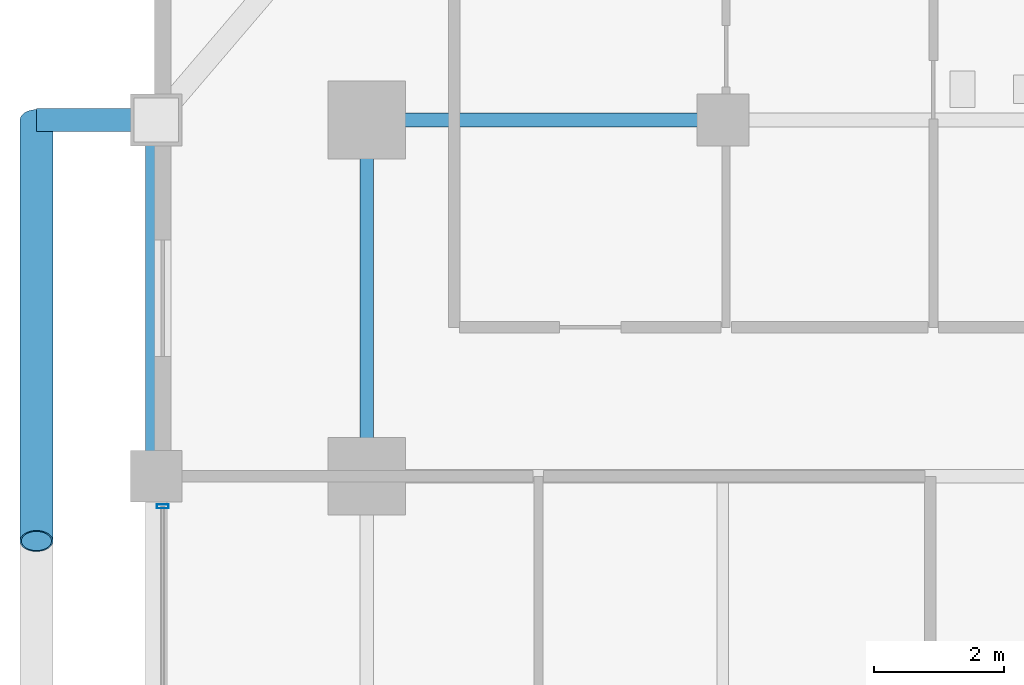
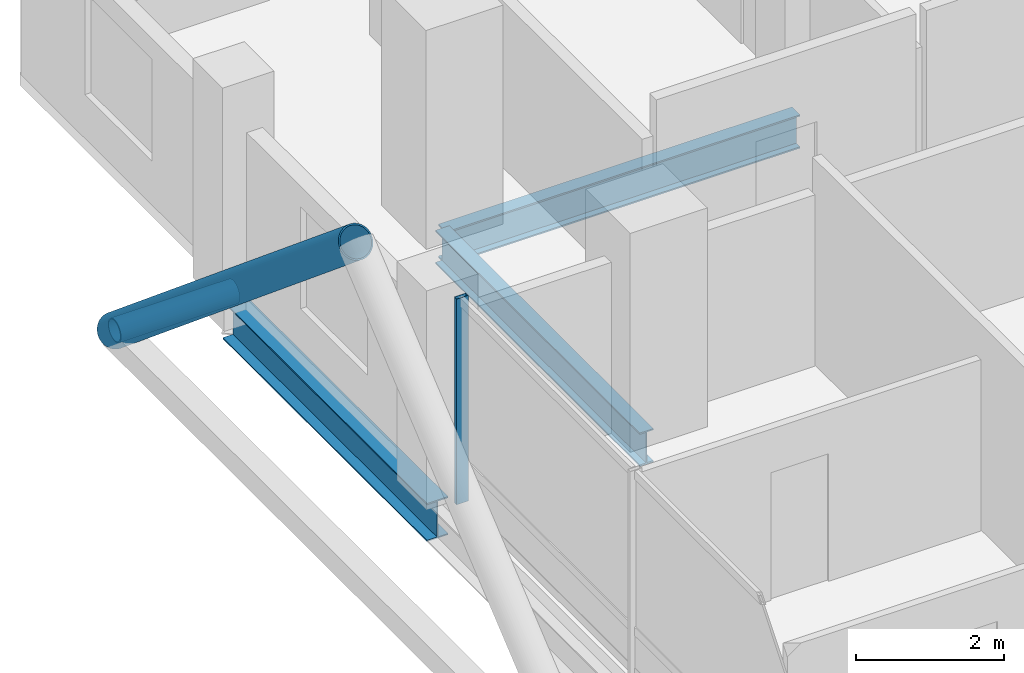
# One storey, part 12 of 25: 3 beams, 3 members, 1 element without a shape of its own.
"""IFC4 building model written with IfcOpenShell, lengths in metres."""

import ifcopenshell
import ifcopenshell.guid

model = None  # the IFC model being written
_history = None  # IfcOwnerHistory: only IFC2X3 demands one
_inside = {}  # id of a spatial element -> (the spatial element, [elements in it])
_under = {}  # id of a project, library or spatial element -> (it, [spatial elements below it])
_declared = {}  # id of a project -> (the project, [libraries it declares])
_typed = {}  # id of a type object -> (the type object, [elements of that type])
_made_of = {}  # id of a material, layer set ... -> (it, [elements and type objects made of it])


def new_model(schema):
    """Start an empty IFC model of exactly this schema.

    Asked for "IFC4X3", IfcOpenShell would pick the latest addendum, in which some entities
    have other attributes; the version numbers below select the first issue.
    IFC2X3 requires an IfcOwnerHistory on every rooted entity: one is made here for all.
    """
    global model, _history
    if schema == "IFC4X3":
        model = ifcopenshell.file(schema_version=(4, 3, 0, 0))
    else:
        model = ifcopenshell.file(schema=schema)
    _inside.clear()
    _under.clear()
    _declared.clear()
    _typed.clear()
    _made_of.clear()
    _history = None
    if model.schema == "IFC2X3":
        org = make("IfcOrganization", Name="unknown")
        user = make(
            "IfcPersonAndOrganization",
            ThePerson=make("IfcPerson", FamilyName="unknown"),
            TheOrganization=org,
        )
        app = make(
            "IfcApplication",
            ApplicationDeveloper=org,
            Version="unknown",
            ApplicationFullName="unknown",
            ApplicationIdentifier="unknown",
        )
        _history = make(
            "IfcOwnerHistory",
            OwningUser=user,
            OwningApplication=app,
            ChangeAction="ADDED",
            CreationDate=0,
        )
    return model


def make(cls, **values):
    """One entity of the class cls with the attributes given. An attribute that is None is left unset."""
    return model.create_entity(
        cls, **{name: value for name, value in values.items() if value is not None}
    )


def rooted(cls, **values):
    """An entity with a GlobalId (a new one), such as an element, a storey or a relation."""
    return make(cls, GlobalId=ifcopenshell.guid.new(), OwnerHistory=_history, **values)


def si_unit(unit_type, name, prefix=None):
    """IfcSIUnit, for example si_unit("LENGTHUNIT", "METRE", prefix="MILLI")."""
    return make("IfcSIUnit", UnitType=unit_type, Prefix=prefix, Name=name)


def assignment(units):
    """IfcUnitAssignment: the units of a project."""
    return None if units is None else make("IfcUnitAssignment", Units=units)


def point(xyz):
    """IfcCartesianPoint."""
    return None if xyz is None else make("IfcCartesianPoint", Coordinates=xyz)


def direction(xyz):
    """IfcDirection."""
    return None if xyz is None else make("IfcDirection", DirectionRatios=xyz)


def frame(location, z_axis=None, x_axis=None):
    """IfcAxis2Placement3D, a coordinate frame: its origin and axes. An axis left out is left unset."""
    return make(
        "IfcAxis2Placement3D",
        Location=point(location),
        Axis=direction(z_axis),
        RefDirection=direction(x_axis),
    )


def frame_2d(location, x_axis=None):
    """IfcAxis2Placement2D, a coordinate frame in the plane: its origin and x axis."""
    return make(
        "IfcAxis2Placement2D", Location=point(location), RefDirection=direction(x_axis)
    )


def origin():
    """The frame at (0, 0, 0) with its axes left unset."""
    return frame((0.0, 0.0, 0.0))


def origin_2d():
    """The frame at (0, 0) in the plane with its x axis left unset."""
    return frame_2d((0.0, 0.0))


def place(relative_to, where):
    """IfcLocalPlacement: puts the frame where relative to a parent placement (None: the world)."""
    return make(
        "IfcLocalPlacement", PlacementRelTo=relative_to, RelativePlacement=where
    )


def context(
    kind, dimensions, precision=None, world=None, true_north=None, identifier=None
):
    """IfcGeometricRepresentationContext, for example the 3D "Model" context."""
    return make(
        "IfcGeometricRepresentationContext",
        ContextIdentifier=identifier,
        ContextType=kind,
        CoordinateSpaceDimension=dimensions,
        Precision=precision,
        WorldCoordinateSystem=world,
        TrueNorth=true_north,
    )


def subcontext(parent, identifier, kind, view, scale=None):
    """IfcGeometricRepresentationSubContext, for example "Body" below "Model"."""
    return make(
        "IfcGeometricRepresentationSubContext",
        ContextIdentifier=identifier,
        ContextType=kind,
        ParentContext=parent,
        TargetScale=scale,
        TargetView=view,
    )


def project(units=None, contexts=None):
    """IfcProject with its units and contexts."""
    return rooted(
        "IfcProject",
        Name="project",
        RepresentationContexts=contexts,
        UnitsInContext=assignment(units),
    )


def spatial(cls, under=None, at=None, **own):
    """A site, building, storey or space (cls), placed at a placement, below another one or the project."""
    s = rooted(cls, ObjectPlacement=at, **own)
    if under is not None:
        _under.setdefault(under.id(), (under, []))[1].append(s)
    return s


def profile(cls, at=None, kind="AREA", **sizes):
    """A parametric profile (cls). Its sizes go by their IFC names, for example OverallWidth=200.0."""
    return make(cls, ProfileType=kind, Position=at, **sizes)


def hollow_rectangle(**sizes):
    """IfcRectangleHollowProfileDef."""
    return profile("IfcRectangleHollowProfileDef", **sizes)


def hollow_circle(**sizes):
    """IfcCircleHollowProfileDef."""
    return profile("IfcCircleHollowProfileDef", **sizes)


def i_section(**sizes):
    """IfcIShapeProfileDef."""
    return profile("IfcIShapeProfileDef", **sizes)


def extrude(swept, where, along, depth):
    """IfcExtrudedAreaSolid: the profile swept, set in the frame where, extruded along a direction by depth."""
    return make(
        "IfcExtrudedAreaSolid",
        SweptArea=swept,
        Position=where,
        ExtrudedDirection=direction(along),
        Depth=depth,
    )


def shape(context_of_items, identifier, shape_type, items):
    """IfcShapeRepresentation: the items that make up one representation, for example the "Body"."""
    return make(
        "IfcShapeRepresentation",
        ContextOfItems=context_of_items,
        RepresentationIdentifier=identifier,
        RepresentationType=shape_type,
        Items=items,
    )


def material(Name=None, Category=None):
    """IfcMaterial."""
    return make("IfcMaterial", Name=Name, Category=Category)


def layer(
    of_material, thickness, ventilated=None, Name=None, Category=None, Priority=None
):
    """IfcMaterialLayer: one layer of a wall or slab, of a material (None: an air gap)."""
    return make(
        "IfcMaterialLayer",
        Material=of_material,
        LayerThickness=thickness,
        IsVentilated=ventilated,
        Name=Name,
        Category=Category,
        Priority=Priority,
    )


def layer_set(layers, Name=None):
    """IfcMaterialLayerSet."""
    return make("IfcMaterialLayerSet", MaterialLayers=layers, LayerSetName=Name)


def material_profile(
    of_material, cross_section, Name=None, Category=None, Priority=None
):
    """IfcMaterialProfile: a cross section and its material."""
    return make(
        "IfcMaterialProfile",
        Name=Name,
        Material=of_material,
        Profile=cross_section,
        Priority=Priority,
        Category=Category,
    )


def profile_set(profiles, Name=None, composite=None):
    """IfcMaterialProfileSet."""
    return make(
        "IfcMaterialProfileSet",
        Name=Name,
        MaterialProfiles=profiles,
        CompositeProfile=composite,
    )


def made_of(thing, what):
    """Note that an element or type object is made of a material, layer set ...; save() writes the relation."""
    if what is not None:
        _made_of.setdefault(what.id(), (what, []))[1].append(thing)
    return thing


def type_object(cls, material=None, **own):
    """A type object (cls), such as IfcWallType, which elements share."""
    return made_of(rooted(cls, **own), material)


def element(
    cls,
    number,
    at=None,
    inside=None,
    cuts=None,
    type_object=None,
    material=None,
    context=None,
    identifier="Body",
    shape_type=None,
    held_by="IfcProductDefinitionShape",
    body=None,
    shapes=None,
    **own,
):
    """One element of the class cls, such as IfcWall. Its Tag is "e" and its number.

    at: its placement. inside: the storey or other place that contains it. cuts: it is an
    opening in that element (IfcRelVoidsElement). A single representation is given by context,
    identifier, shape_type and body (its items); several are given by shapes. held_by: the class
    of the entity that holds the representations. save() writes the other relations.
    """
    e = rooted(cls, Tag="e%d" % number, ObjectPlacement=at, **own)
    if body is not None:
        shapes = [shape(context, identifier, shape_type, body)]
    if shapes is not None:
        e.Representation = make(held_by, Representations=shapes)
    if inside is not None:
        _inside.setdefault(inside.id(), (inside, []))[1].append(e)
    if cuts is not None:
        rooted(
            "IfcRelVoidsElement", RelatingBuildingElement=cuts, RelatedOpeningElement=e
        )
    if type_object is not None:
        _typed.setdefault(type_object.id(), (type_object, []))[1].append(e)
    return made_of(e, material)


def aggregate(whole, parts):
    """IfcRelAggregates: a whole, such as a stair, and the parts it consists of."""
    return rooted("IfcRelAggregates", RelatingObject=whole, RelatedObjects=parts)


def save(model, path):
    """Write the relations noted so far, then the file.

    IfcRelAggregates (storeys below a building ...), IfcRelContainedInSpatialStructure (elements
    in a storey), IfcRelDefinesByType, IfcRelAssociatesMaterial and IfcRelDeclares: one each for
    every whole, place, type object, material and project.
    """
    for whole, parts in _under.values():
        aggregate(whole, parts)
    for where, things in _inside.values():
        rooted(
            "IfcRelContainedInSpatialStructure",
            RelatedElements=things,
            RelatingStructure=where,
        )
    for kind, things in _typed.values():
        rooted("IfcRelDefinesByType", RelatedObjects=things, RelatingType=kind)
    for what, things in _made_of.values():
        rooted("IfcRelAssociatesMaterial", RelatedObjects=things, RelatingMaterial=what)
    for by, libraries in _declared.values():
        rooted("IfcRelDeclares", RelatingContext=by, RelatedDefinitions=libraries)
    model.write(path)


model = new_model("IFC4")

# Units and contexts
model_context = context("Model", 3, precision=1e-05, world=origin(), true_north=direction((0.0, 1.0)))
body_context = subcontext(model_context, "Body", "Model", "MODEL_VIEW")
ifc_project = project(units=[si_unit("LENGTHUNIT", "METRE"), si_unit("AREAUNIT", "SQUARE_METRE"), si_unit("VOLUMEUNIT", "CUBIC_METRE"), si_unit("PLANEANGLEUNIT", "RADIAN"), si_unit("MASSUNIT", "GRAM", prefix="KILO")], contexts=[model_context])

# Site, building, storey
site_placement = place(None, origin())
site = spatial("IfcSite", under=ifc_project, at=site_placement, CompositionType="ELEMENT")
building_placement = place(site_placement, origin())
building = spatial("IfcBuilding", under=site, at=building_placement, Name="Barlavira Tower and Art Museum", CompositionType="ELEMENT")
storey_placement = place(building_placement, frame((0.0, 0.0, 133.199951171875)))
storey = spatial("IfcBuildingStorey", under=building, at=storey_placement, Name="L33", CompositionType="ELEMENT", Elevation=133.199951171875)

# Curtain wall, member
ifc_material_1 = material(Name="Low-iron coastal laminated glass", Category="glass")
ifc_layer = layer(ifc_material_1, 0.18994140625, Name="Low-iron coastal laminated glass")
ifc_layer_set = layer_set([ifc_layer], Name="Low-iron coastal laminated glass")
curtain_wall_type = type_object("IfcCurtainWallType", Name="Pale-Metal Unitised Curtain Wall Zone 2", PredefinedType="NOTDEFINED", material=ifc_layer_set)
curtain_wall_placement = place(storey_placement, origin())
curtain_wall = element("IfcCurtainWall", 1, at=curtain_wall_placement, inside=storey, type_object=curtain_wall_type, Name="L33 Curtain Wall CW2-L33-W-B3", PredefinedType="NOTDEFINED")
ifc_material_2 = material(Name="Pale anodised aluminium", Category="aluminium")
ifc_material_profile_1 = material_profile(ifc_material_2, hollow_rectangle(XDim=0.06494140625, YDim=0.179931640625, WallThickness=0.00390625, at=origin_2d()), Name="ALU-MULL 65x180x4")
ifc_profile_set_1 = profile_set([ifc_material_profile_1], Name="Pale anodised aluminium")
member_type_1 = type_object("IfcMemberType", Name="Curtain Wall Pale-Metal Mullion 65x180", PredefinedType="MULLION", material=ifc_profile_set_1)
member_1_placement = place(storey_placement, frame((-20.14990234375, 7.034912109375, 0.0), z_axis=(0.0, 0.0, 1.0), x_axis=(0.0, -1.0, 0.0)))
member_1 = element("IfcMember", 2, at=member_1_placement, type_object=member_type_1, Name="CW2-L33-W-B3 Mullion 0", PredefinedType="MULLION", context=body_context, shape_type="SweptSolid", body=[
    extrude(hollow_rectangle(XDim=0.06494140625, YDim=0.179931640625, WallThickness=0.00390625, at=origin_2d()), origin(), (0.0, 0.0, 1.0), 3.380126953125),
])
aggregate(curtain_wall, [member_1])

# Members
ifc_material_3 = material(Name="Steel S355", Category="steel")
ifc_material_profile_2 = material_profile(ifc_material_3, hollow_circle(Radius=0.25390625, WallThickness=0.022216796875, at=origin_2d()), Name="CHS 508.0x22.2")
ifc_profile_set_2 = profile_set([ifc_material_profile_2], Name="Steel S355")
member_type_2 = type_object("IfcMemberType", Name="Pale-Metal Exoskeleton Diagrid Tube CHS 508x22 Steel S355", PredefinedType="BRACE", material=ifc_profile_set_2)
member_2_placement = place(storey_placement, frame((-22.10009765625, 13.0, -0.119873046875), z_axis=(0.0, -0.769196053329, 0.639012857104), x_axis=(1.0, 0.0, 0.0)))
element("IfcMember", 3, at=member_2_placement, inside=storey, type_object=member_type_2, Name="L33 Exoskeleton Diagrid Tube W", PredefinedType="BRACE", context=body_context, shape_type="SweptSolid", body=[
    extrude(hollow_circle(Radius=0.25390625, WallThickness=0.022216796875, at=origin_2d()), origin(), (0.0, 0.0, 1.0), 8.450439453125),
])
ifc_material_profile_3 = material_profile(ifc_material_3, hollow_circle(Radius=0.177734375, WallThickness=0.01611328125, at=origin_2d()), Name="CHS 355.6x16.0")
ifc_profile_set_3 = profile_set([ifc_material_profile_3], Name="Steel S355")
member_type_3 = type_object("IfcMemberType", Name="Pale-Metal Exoskeleton Tie Strut CHS 356x16 Steel S355", PredefinedType="STRUT", material=ifc_profile_set_3)
member_3_placement = place(storey_placement, frame((-22.10009765625, 13.0, -0.119873046875), z_axis=(1.0, 0.0, 0.0), x_axis=(0.0, 1.0, 0.0)))
element("IfcMember", 4, at=member_3_placement, inside=storey, type_object=member_type_3, Name="L33 Exoskeleton Tie Strut W3", PredefinedType="STRUT", context=body_context, shape_type="SweptSolid", body=[
    extrude(hollow_circle(Radius=0.177734375, WallThickness=0.01611328125, at=origin_2d()), origin(), (0.0, 0.0, 1.0), 1.85009765625),
])

# Beams
ifc_material_profile_4 = material_profile(ifc_material_3, i_section(OverallWidth=0.327880859375, OverallDepth=0.62890625, WebThickness=0.013916015625, FlangeThickness=0.021484375, at=origin_2d()), Name="W610x174.0")
ifc_profile_set_4 = profile_set([ifc_material_profile_4], Name="Steel S355")
beam_type_1 = type_object("IfcBeamType", Name="Perimeter Spandrel Edge Beam W610x174 Steel S355", PredefinedType="SPANDREL", material=ifc_profile_set_4)
beam_placement = place(storey_placement, frame((-20.25, 7.5, -0.534423828125), z_axis=(0.0, 1.0, 0.0), x_axis=(-1.0, 0.0, 0.0)))
element("IfcBeam", 5, at=beam_placement, inside=storey, type_object=beam_type_1, Name="L33 Spandrel 13", PredefinedType="SPANDREL", context=body_context, shape_type="SweptSolid", body=[
    extrude(i_section(OverallWidth=0.327880859375, OverallDepth=0.62890625, WebThickness=0.013916015625, FlangeThickness=0.021484375, at=origin_2d()), origin(), (0.0, 0.0, 1.0), 5.5),
])
ifc_material_profile_5 = material_profile(ifc_material_3, i_section(OverallWidth=0.214111328125, OverallDepth=0.549072265625, WebThickness=0.0146484375, FlangeThickness=0.023681640625, at=origin_2d()), Name="W530x138.0")
ifc_profile_set_5 = profile_set([ifc_material_profile_5], Name="Steel S355")
beam_type_2 = type_object("IfcBeamType", Name="Zone 1 Primary Floor Girder W530x138 Steel S355", PredefinedType="BEAM", material=ifc_profile_set_5)
for number, where, z_axis, x_axis, name in (
    (6, (-17.0, 7.5, -0.494384765625), (0.0, 1.0, 0.0), (-1.0, 0.0, 0.0), "L33 Girder M-W3"),
    (7, (-17.0, 13.0, -0.494384765625), (1.0, 0.0, 0.0), (0.0, 1.0, 0.0), "L33 Girder I-N1"),
):
    element("IfcBeam", number, at=place(storey_placement, frame(where, z_axis=z_axis, x_axis=x_axis)), inside=storey, type_object=beam_type_2, Name=name, PredefinedType="BEAM", context=body_context, shape_type="SweptSolid", body=[
        extrude(i_section(OverallWidth=0.214111328125, OverallDepth=0.549072265625, WebThickness=0.0146484375, FlangeThickness=0.023681640625, at=origin_2d()), origin(), (0.0, 0.0, 1.0), 5.5),
    ])

save(model, "model.ifc")
